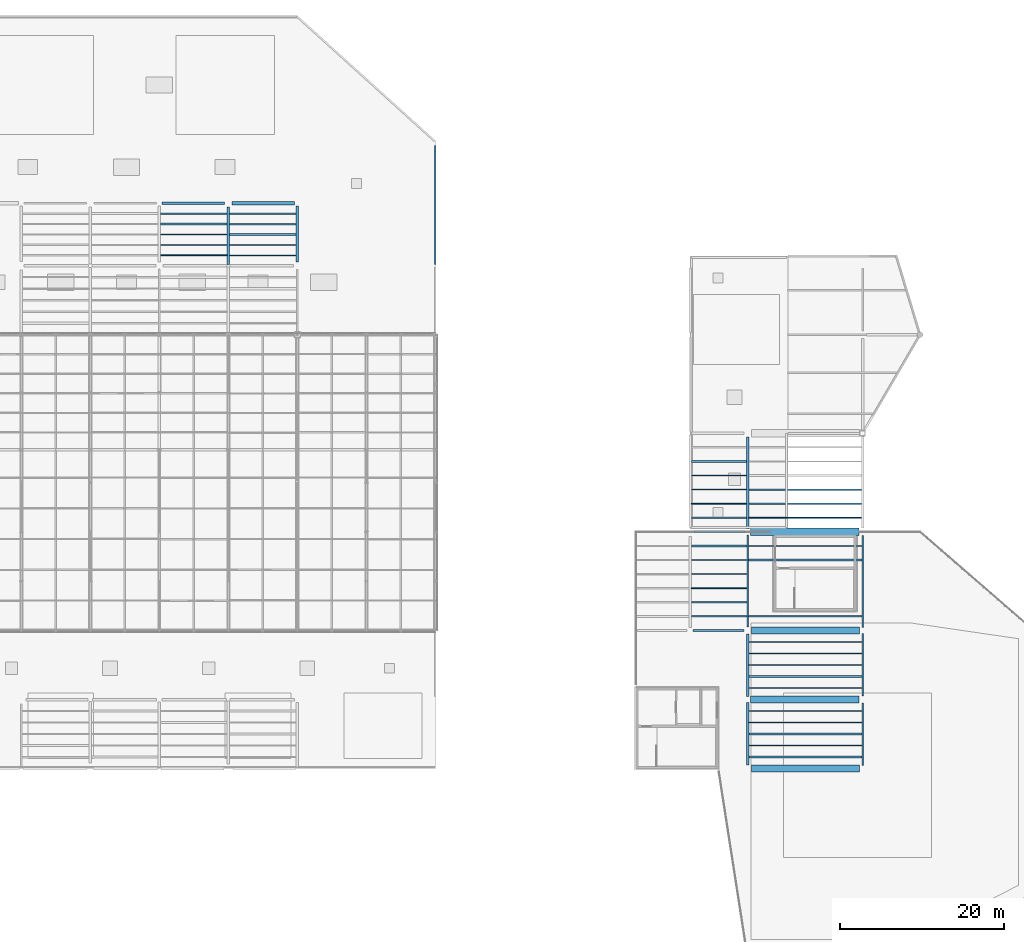
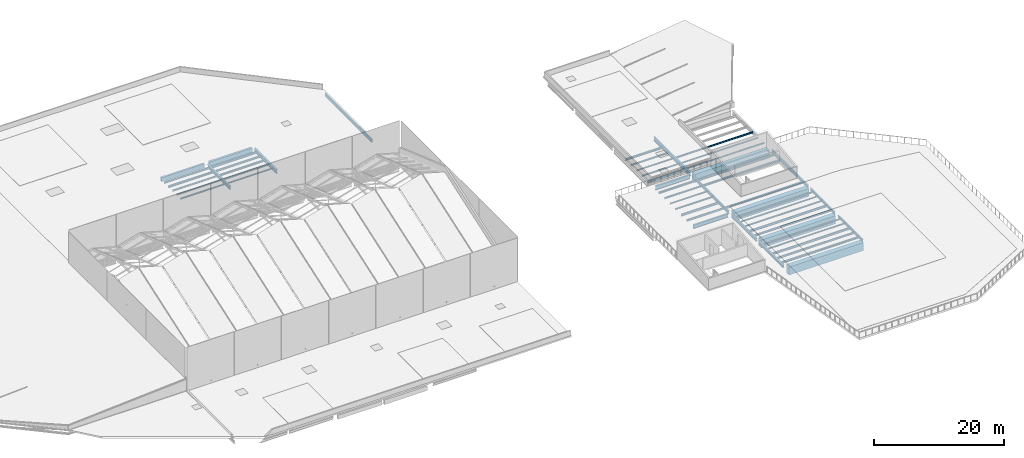
# One storey, part 38 of 77: 55 beams.
"""IFC4 building model written with IfcOpenShell, lengths in metres."""

from ifc_helpers import new_model, si_unit, direction, frame, origin, origin_2d, place, context, subcontext, project, spatial, rectangle, i_section, extrude, material, material_profile, profile_set, type_object, element, save


model = new_model("IFC4")

# Units and contexts
model_context = context("Model", 3, precision=1e-05, world=origin(), true_north=direction((0.0, 1.0)))
body_context = subcontext(model_context, "Body", "Model", "MODEL_VIEW")
ifc_project = project(units=[si_unit("LENGTHUNIT", "METRE"), si_unit("AREAUNIT", "SQUARE_METRE"), si_unit("VOLUMEUNIT", "CUBIC_METRE"), si_unit("PLANEANGLEUNIT", "RADIAN"), si_unit("MASSUNIT", "GRAM", prefix="KILO")], contexts=[model_context])

# Site, building, storey
site_placement = place(None, origin())
site = spatial("IfcSite", under=ifc_project, at=site_placement, CompositionType="ELEMENT")
building_placement = place(site_placement, origin())
building = spatial("IfcBuilding", under=site, at=building_placement, Name="Larkvane Passage Sports Hall", CompositionType="ELEMENT")
storey_placement = place(building_placement, frame((0.0, 0.0, 22.199951171875)))
storey = spatial("IfcBuildingStorey", under=building, at=storey_placement, Name="RF", CompositionType="ELEMENT", Elevation=22.199951171875)

# Beams
ifc_material_1 = material(Name="Steel S355JR", Category="steel")
ifc_material_profile_1 = material_profile(ifc_material_1, i_section(OverallWidth=0.300048828125, OverallDepth=0.488037109375, WebThickness=0.010986328125, FlangeThickness=0.01806640625, FilletRadius=0.02197265625, at=origin_2d()), Name="H-488x300x11x18")
ifc_profile_set_1 = profile_set([ifc_material_profile_1], Name="Steel S355JR")
beam_type_1 = type_object("IfcBeamType", Name="BM-STL-H488", PredefinedType="BEAM", material=ifc_profile_set_1)
beam_1_placement = place(storey_placement, frame((131.60009765625, 23.25, -0.6240234375), z_axis=(0.0, 1.0, 0.0), x_axis=(-1.0, 0.0, 0.0)))
element("IfcBeam", 1, at=beam_1_placement, inside=storey, type_object=beam_type_1, Name="Girder BM5-Y-RF-18-1187", PredefinedType="BEAM", context=body_context, shape_type="SweptSolid", body=[
    extrude(i_section(OverallWidth=0.300048828125, OverallDepth=0.488037109375, WebThickness=0.010986328125, FlangeThickness=0.01806640625, FilletRadius=0.02197265625, at=origin_2d()), origin(), (0.0, 0.0, 1.0), 7.60009765625),
])
ifc_material_2 = material(Name="Steel S460N", Category="steel")
ifc_material_profile_2 = material_profile(ifc_material_2, i_section(OverallWidth=0.300048828125, OverallDepth=0.58203125, WebThickness=0.011962890625, FlangeThickness=0.01708984375, FilletRadius=0.02197265625, at=origin_2d()), Name="H-582x300x12x17")
ifc_profile_set_2 = profile_set([ifc_material_profile_2], Name="Steel S460N")
beam_type_2 = type_object("IfcBeamType", Name="BM-STL-H582", PredefinedType="BEAM", material=ifc_profile_set_2)
beam_2_placement = place(storey_placement, frame((68.39990234375, 84.175048828125, -0.6708984375), z_axis=(0.0, 1.0, 0.0), x_axis=(-1.0, 0.0, 0.0)))
element("IfcBeam", 2, at=beam_2_placement, inside=storey, type_object=beam_type_2, Name="Girder BM5-Y-RF-10-1175", PredefinedType="BEAM", context=body_context, shape_type="SweptSolid", body=[
    extrude(i_section(OverallWidth=0.300048828125, OverallDepth=0.58203125, WebThickness=0.011962890625, FlangeThickness=0.01708984375, FilletRadius=0.02197265625, at=origin_2d()), origin(), (0.0, 0.0, 1.0), 6.974853515625),
])
beam_3_placement = place(storey_placement, frame((131.60009765625, 31.550048828125, -0.6708984375), z_axis=(0.0, 1.0, 0.0), x_axis=(-1.0, 0.0, 0.0)))
element("IfcBeam", 3, at=beam_3_placement, inside=storey, type_object=beam_type_2, Name="Girder BM5-Y-RF-18-1188", PredefinedType="BEAM", context=body_context, shape_type="SweptSolid", body=[
    extrude(i_section(OverallWidth=0.300048828125, OverallDepth=0.58203125, WebThickness=0.011962890625, FlangeThickness=0.01708984375, FilletRadius=0.02197265625, at=origin_2d()), origin(), (0.0, 0.0, 1.0), 7.599853515625),
])
ifc_material_profile_3 = material_profile(ifc_material_1, i_section(OverallWidth=0.199951171875, OverallDepth=0.60009765625, WebThickness=0.010986328125, FlangeThickness=0.01708984375, FilletRadius=0.01806640625, at=origin_2d()), Name="H-600x200x11x17")
ifc_profile_set_3 = profile_set([ifc_material_profile_3], Name="Steel S355JR")
beam_type_3 = type_object("IfcBeamType", Name="BM-STL-H600", PredefinedType="BEAM", material=ifc_profile_set_3)
beam_4_placement = place(storey_placement, frame((93.60009765625, 84.175048828125, -0.679931640625), z_axis=(0.0, 1.0, 0.0), x_axis=(-1.0, 0.0, 0.0)))
element("IfcBeam", 4, at=beam_4_placement, inside=storey, type_object=beam_type_3, Name="Girder BM5-Y-RF-13-1181", PredefinedType="BEAM", context=body_context, shape_type="SweptSolid", body=[
    extrude(i_section(OverallWidth=0.199951171875, OverallDepth=0.60009765625, WebThickness=0.010986328125, FlangeThickness=0.01708984375, FilletRadius=0.01806640625, at=origin_2d()), origin(), (0.0, 0.0, 1.0), 14.474853515625),
])
for number, where, z_axis, x_axis, name in (
    (5, (131.60009765625, 40.050048828125, -0.679931640625), (0.0, 1.0, 0.0), (-1.0, 0.0, 0.0), "Girder BM5-Y-RF-18-1189"),
    (6, (145.60009765625, 39.949951171875, -0.679931640625), (0.0, 1.0, 0.0), (-1.0, 0.0, 0.0), "Girder BM5-Y-RF-19-1193"),
):
    element("IfcBeam", number, at=place(storey_placement, frame(where, z_axis=z_axis, x_axis=x_axis)), inside=storey, type_object=beam_type_3, Name=name, PredefinedType="BEAM", context=body_context, shape_type="SweptSolid", body=[
        extrude(i_section(OverallWidth=0.199951171875, OverallDepth=0.60009765625, WebThickness=0.010986328125, FlangeThickness=0.01708984375, FilletRadius=0.01806640625, at=origin_2d()), origin(), (0.0, 0.0, 1.0), 11.199951171875),
    ])
ifc_material_profile_4 = material_profile(ifc_material_2, i_section(OverallWidth=0.300048828125, OverallDepth=0.69189453125, WebThickness=0.012939453125, FlangeThickness=0.02001953125, FilletRadius=0.02197265625, at=origin_2d()), Name="H-692x300x13x20")
ifc_profile_set_4 = profile_set([ifc_material_profile_4], Name="Steel S460N")
beam_type_4 = type_object("IfcBeamType", Name="BM-STL-H692", PredefinedType="BEAM", material=ifc_profile_set_4)
beam_5_placement = place(storey_placement, frame((124.949951171875, 39.60009765625, -0.725830078125), z_axis=(1.0, 0.0, 0.0), x_axis=(0.0, 1.0, 0.0)))
element("IfcBeam", 7, at=beam_5_placement, inside=storey, type_object=beam_type_4, Name="Girder BM5-X-RF-F-1139", PredefinedType="BEAM", context=body_context, shape_type="SweptSolid", body=[
    extrude(i_section(OverallWidth=0.300048828125, OverallDepth=0.69189453125, WebThickness=0.012939453125, FlangeThickness=0.02001953125, FilletRadius=0.02197265625, at=origin_2d()), origin(), (0.0, 0.0, 1.0), 6.199951171875),
])
beam_6_placement = place(storey_placement, frame((76.800048828125, 84.449951171875, -0.725830078125), z_axis=(0.0, 1.0, 0.0), x_axis=(-1.0, 0.0, 0.0)))
element("IfcBeam", 8, at=beam_6_placement, inside=storey, type_object=beam_type_4, Name="Girder BM5-Y-RF-11-1178", PredefinedType="BEAM", context=body_context, shape_type="SweptSolid", body=[
    extrude(i_section(OverallWidth=0.300048828125, OverallDepth=0.69189453125, WebThickness=0.012939453125, FlangeThickness=0.02001953125, FilletRadius=0.02197265625, at=origin_2d()), origin(), (0.0, 0.0, 1.0), 6.800048828125),
])
beam_7_placement = place(storey_placement, frame((131.60009765625, 51.949951171875, -0.725830078125), z_axis=(0.0, 1.0, 0.0), x_axis=(-1.0, 0.0, 0.0)))
element("IfcBeam", 9, at=beam_7_placement, inside=storey, type_object=beam_type_4, Name="Girder BM5-Y-RF-18-1190", PredefinedType="BEAM", context=body_context, shape_type="SweptSolid", body=[
    extrude(i_section(OverallWidth=0.300048828125, OverallDepth=0.69189453125, WebThickness=0.012939453125, FlangeThickness=0.02001953125, FilletRadius=0.02197265625, at=origin_2d()), origin(), (0.0, 0.0, 1.0), 11.199951171875),
])
ifc_material_profile_5 = material_profile(ifc_material_2, i_section(OverallWidth=0.300048828125, OverallDepth=0.800048828125, WebThickness=0.013916015625, FlangeThickness=0.02587890625, FilletRadius=0.02197265625, at=origin_2d()), Name="H-800x300x14x26")
ifc_profile_set_5 = profile_set([ifc_material_profile_5], Name="Steel S460N")
beam_type_5 = type_object("IfcBeamType", Name="BM-STL-H800", PredefinedType="BEAM", material=ifc_profile_set_5)
beam_8_placement = place(storey_placement, frame((125.14990234375, 51.60009765625, -0.780029296875), z_axis=(1.0, 0.0, 0.0), x_axis=(0.0, 1.0, 0.0)))
element("IfcBeam", 10, at=beam_8_placement, inside=storey, type_object=beam_type_5, Name="Girder BM5-X-RF-G-1142", PredefinedType="BEAM", context=body_context, shape_type="SweptSolid", body=[
    extrude(i_section(OverallWidth=0.300048828125, OverallDepth=0.800048828125, WebThickness=0.013916015625, FlangeThickness=0.02587890625, FilletRadius=0.02197265625, at=origin_2d()), origin(), (0.0, 0.0, 1.0), 6.10009765625),
])
ifc_material_profile_6 = material_profile(ifc_material_1, i_section(OverallWidth=0.10009765625, OverallDepth=0.199951171875, WebThickness=0.005615234375, FlangeThickness=0.008056640625, FilletRadius=0.008056640625, at=origin_2d()), Name="H-200x100x5.5x8")
ifc_profile_set_6 = profile_set([ifc_material_profile_6], Name="Steel S355JR")
beam_type_6 = type_object("IfcBeamType", Name="JST-STL-H200", PredefinedType="JOIST", material=ifc_profile_set_6)
beam_9_placement = place(storey_placement, frame((60.14990234375, 85.2666015625, -0.47998046875), z_axis=(1.0, 0.0, 0.0), x_axis=(0.0, 1.0, 0.0)))
element("IfcBeam", 11, at=beam_9_placement, inside=storey, type_object=beam_type_6, Name="Composite joist RF 9/K-1", PredefinedType="JOIST", context=body_context, shape_type="SweptSolid", body=[
    extrude(i_section(OverallWidth=0.10009765625, OverallDepth=0.199951171875, WebThickness=0.005615234375, FlangeThickness=0.008056640625, FilletRadius=0.008056640625, at=origin_2d()), origin(), (0.0, 0.0, 1.0), 8.10009765625),
])
beam_10_placement = place(storey_placement, frame((124.75, 44.742919921875, -0.47998046875), z_axis=(1.0, 0.0, 0.0), x_axis=(0.0, 1.0, 0.0)))
element("IfcBeam", 12, at=beam_10_placement, inside=storey, type_object=beam_type_6, Name="Composite joist RF 17/F-3", PredefinedType="JOIST", context=body_context, shape_type="SweptSolid", body=[
    extrude(i_section(OverallWidth=0.10009765625, OverallDepth=0.199951171875, WebThickness=0.005615234375, FlangeThickness=0.008056640625, FilletRadius=0.008056640625, at=origin_2d()), origin(), (0.0, 0.0, 1.0), 6.75),
])
beam_11_placement = place(storey_placement, frame((124.75, 55.028564453125, -0.47998046875), z_axis=(1.0, 0.0, 0.0), x_axis=(0.0, 1.0, 0.0)))
element("IfcBeam", 13, at=beam_11_placement, inside=storey, type_object=beam_type_6, Name="Composite joist RF 17/G-2", PredefinedType="JOIST", context=body_context, shape_type="SweptSolid", body=[
    extrude(i_section(OverallWidth=0.10009765625, OverallDepth=0.199951171875, WebThickness=0.005615234375, FlangeThickness=0.008056640625, FilletRadius=0.008056640625, at=origin_2d()), origin(), (0.0, 0.0, 1.0), 6.699951171875),
])
for number, where, z_axis, x_axis, name in (
    (14, (131.75, 28.39990234375, -0.47998046875), (1.0, 0.0, 0.0), (0.0, 1.0, 0.0), "Composite joist RF 18/D-4"),
    (15, (131.75, 35.39990234375, -0.47998046875), (1.0, 0.0, 0.0), (0.0, 1.0, 0.0), "Composite joist RF 18/E-3"),
):
    element("IfcBeam", number, at=place(storey_placement, frame(where, z_axis=z_axis, x_axis=x_axis)), inside=storey, type_object=beam_type_6, Name=name, PredefinedType="JOIST", context=body_context, shape_type="SweptSolid", body=[
        extrude(i_section(OverallWidth=0.10009765625, OverallDepth=0.199951171875, WebThickness=0.005615234375, FlangeThickness=0.008056640625, FilletRadius=0.008056640625, at=origin_2d()), origin(), (0.0, 0.0, 1.0), 13.75),
    ])
beam_12_placement = place(storey_placement, frame((131.75, 53.314208984375, -0.47998046875), z_axis=(1.0, 0.0, 0.0), x_axis=(0.0, 1.0, 0.0)))
element("IfcBeam", 16, at=beam_12_placement, inside=storey, type_object=beam_type_6, Name="Composite joist RF 18/G-1", PredefinedType="JOIST", context=body_context, shape_type="SweptSolid", body=[
    extrude(i_section(OverallWidth=0.10009765625, OverallDepth=0.199951171875, WebThickness=0.005615234375, FlangeThickness=0.008056640625, FilletRadius=0.008056640625, at=origin_2d()), origin(), (0.0, 0.0, 1.0), 13.699951171875),
])
ifc_material_profile_7 = material_profile(ifc_material_1, i_section(OverallWidth=0.125, OverallDepth=0.25, WebThickness=0.006103515625, FlangeThickness=0.009033203125, FilletRadius=0.008056640625, at=origin_2d()), Name="H-250x125x6x9")
ifc_profile_set_7 = profile_set([ifc_material_profile_7], Name="Steel S355JR")
beam_type_7 = type_object("IfcBeamType", Name="JST-STL-H250", PredefinedType="JOIST", material=ifc_profile_set_7)
beam_13_placement = place(storey_placement, frame((60.14990234375, 86.533447265625, -0.5048828125), z_axis=(1.0, 0.0, 0.0), x_axis=(0.0, 1.0, 0.0)))
element("IfcBeam", 17, at=beam_13_placement, inside=storey, type_object=beam_type_7, Name="Composite joist RF 9/K-2", PredefinedType="JOIST", context=body_context, shape_type="SweptSolid", body=[
    extrude(i_section(OverallWidth=0.125, OverallDepth=0.25, WebThickness=0.006103515625, FlangeThickness=0.009033203125, FilletRadius=0.008056640625, at=origin_2d()), origin(), (0.0, 0.0, 1.0), 8.10009765625),
])
beam_14_placement = place(storey_placement, frame((68.550048828125, 85.2666015625, -0.5048828125), z_axis=(1.0, 0.0, 0.0), x_axis=(0.0, 1.0, 0.0)))
element("IfcBeam", 18, at=beam_14_placement, inside=storey, type_object=beam_type_7, Name="Composite joist RF 10/K-1", PredefinedType="JOIST", context=body_context, shape_type="SweptSolid", body=[
    extrude(i_section(OverallWidth=0.125, OverallDepth=0.25, WebThickness=0.006103515625, FlangeThickness=0.009033203125, FilletRadius=0.008056640625, at=origin_2d()), origin(), (0.0, 0.0, 1.0), 8.099853515625),
])
beam_15_placement = place(storey_placement, frame((124.75, 46.45703125, -0.5048828125), z_axis=(1.0, 0.0, 0.0), x_axis=(0.0, 1.0, 0.0)))
element("IfcBeam", 19, at=beam_15_placement, inside=storey, type_object=beam_type_7, Name="Composite joist RF 17/F-4", PredefinedType="JOIST", context=body_context, shape_type="SweptSolid", body=[
    extrude(i_section(OverallWidth=0.125, OverallDepth=0.25, WebThickness=0.006103515625, FlangeThickness=0.009033203125, FilletRadius=0.008056640625, at=origin_2d()), origin(), (0.0, 0.0, 1.0), 6.75),
])
beam_16_placement = place(storey_placement, frame((124.75, 56.742919921875, -0.5048828125), z_axis=(1.0, 0.0, 0.0), x_axis=(0.0, 1.0, 0.0)))
element("IfcBeam", 20, at=beam_16_placement, inside=storey, type_object=beam_type_7, Name="Composite joist RF 17/G-3", PredefinedType="JOIST", context=body_context, shape_type="SweptSolid", body=[
    extrude(i_section(OverallWidth=0.125, OverallDepth=0.25, WebThickness=0.006103515625, FlangeThickness=0.009033203125, FilletRadius=0.008056640625, at=origin_2d()), origin(), (0.0, 0.0, 1.0), 6.699951171875),
])
for number, where, z_axis, x_axis, name in (
    (21, (131.75, 29.800048828125, -0.5048828125), (1.0, 0.0, 0.0), (0.0, 1.0, 0.0), "Composite joist RF 18/D-5"),
    (22, (131.75, 36.800048828125, -0.5048828125), (1.0, 0.0, 0.0), (0.0, 1.0, 0.0), "Composite joist RF 18/E-4"),
):
    element("IfcBeam", number, at=place(storey_placement, frame(where, z_axis=z_axis, x_axis=x_axis)), inside=storey, type_object=beam_type_7, Name=name, PredefinedType="JOIST", context=body_context, shape_type="SweptSolid", body=[
        extrude(i_section(OverallWidth=0.125, OverallDepth=0.25, WebThickness=0.006103515625, FlangeThickness=0.009033203125, FilletRadius=0.008056640625, at=origin_2d()), origin(), (0.0, 0.0, 1.0), 13.75),
    ])
beam_17_placement = place(storey_placement, frame((131.75, 55.028564453125, -0.5048828125), z_axis=(1.0, 0.0, 0.0), x_axis=(0.0, 1.0, 0.0)))
element("IfcBeam", 23, at=beam_17_placement, inside=storey, type_object=beam_type_7, Name="Composite joist RF 18/G-2", PredefinedType="JOIST", context=body_context, shape_type="SweptSolid", body=[
    extrude(i_section(OverallWidth=0.125, OverallDepth=0.25, WebThickness=0.006103515625, FlangeThickness=0.009033203125, FilletRadius=0.008056640625, at=origin_2d()), origin(), (0.0, 0.0, 1.0), 13.699951171875),
])
ifc_material_profile_8 = material_profile(ifc_material_1, i_section(OverallWidth=0.14990234375, OverallDepth=0.300048828125, WebThickness=0.006591796875, FlangeThickness=0.009033203125, FilletRadius=0.012939453125, at=origin_2d()), Name="H-300x150x6.5x9")
ifc_profile_set_8 = profile_set([ifc_material_profile_8], Name="Steel S355JR")
beam_type_8 = type_object("IfcBeamType", Name="JST-STL-H300", PredefinedType="JOIST", material=ifc_profile_set_8)
beam_18_placement = place(storey_placement, frame((60.14990234375, 87.800048828125, -0.530029296875), z_axis=(1.0, 0.0, 0.0), x_axis=(0.0, 1.0, 0.0)))
element("IfcBeam", 24, at=beam_18_placement, inside=storey, type_object=beam_type_8, Name="Composite joist RF 9/K-3", PredefinedType="JOIST", context=body_context, shape_type="SweptSolid", body=[
    extrude(i_section(OverallWidth=0.14990234375, OverallDepth=0.300048828125, WebThickness=0.006591796875, FlangeThickness=0.009033203125, FilletRadius=0.012939453125, at=origin_2d()), origin(), (0.0, 0.0, 1.0), 8.10009765625),
])
beam_19_placement = place(storey_placement, frame((68.550048828125, 86.533447265625, -0.530029296875), z_axis=(1.0, 0.0, 0.0), x_axis=(0.0, 1.0, 0.0)))
element("IfcBeam", 25, at=beam_19_placement, inside=storey, type_object=beam_type_8, Name="Composite joist RF 10/K-2", PredefinedType="JOIST", context=body_context, shape_type="SweptSolid", body=[
    extrude(i_section(OverallWidth=0.14990234375, OverallDepth=0.300048828125, WebThickness=0.006591796875, FlangeThickness=0.009033203125, FilletRadius=0.012939453125, at=origin_2d()), origin(), (0.0, 0.0, 1.0), 8.099853515625),
])
beam_20_placement = place(storey_placement, frame((124.75, 48.17138671875, -0.530029296875), z_axis=(1.0, 0.0, 0.0), x_axis=(0.0, 1.0, 0.0)))
element("IfcBeam", 26, at=beam_20_placement, inside=storey, type_object=beam_type_8, Name="Composite joist RF 17/F-5", PredefinedType="JOIST", context=body_context, shape_type="SweptSolid", body=[
    extrude(i_section(OverallWidth=0.14990234375, OverallDepth=0.300048828125, WebThickness=0.006591796875, FlangeThickness=0.009033203125, FilletRadius=0.012939453125, at=origin_2d()), origin(), (0.0, 0.0, 1.0), 6.75),
])
beam_21_placement = place(storey_placement, frame((124.75, 58.45703125, -0.530029296875), z_axis=(1.0, 0.0, 0.0), x_axis=(0.0, 1.0, 0.0)))
element("IfcBeam", 27, at=beam_21_placement, inside=storey, type_object=beam_type_8, Name="Composite joist RF 17/G-4", PredefinedType="JOIST", context=body_context, shape_type="SweptSolid", body=[
    extrude(i_section(OverallWidth=0.14990234375, OverallDepth=0.300048828125, WebThickness=0.006591796875, FlangeThickness=0.009033203125, FilletRadius=0.012939453125, at=origin_2d()), origin(), (0.0, 0.0, 1.0), 6.699951171875),
])
beam_22_placement = place(storey_placement, frame((131.75, 38.199951171875, -0.530029296875), z_axis=(1.0, 0.0, 0.0), x_axis=(0.0, 1.0, 0.0)))
element("IfcBeam", 28, at=beam_22_placement, inside=storey, type_object=beam_type_8, Name="Composite joist RF 18/E-5", PredefinedType="JOIST", context=body_context, shape_type="SweptSolid", body=[
    extrude(i_section(OverallWidth=0.14990234375, OverallDepth=0.300048828125, WebThickness=0.006591796875, FlangeThickness=0.009033203125, FilletRadius=0.012939453125, at=origin_2d()), origin(), (0.0, 0.0, 1.0), 13.75),
])
beam_23_placement = place(storey_placement, frame((131.75, 56.742919921875, -0.530029296875), z_axis=(1.0, 0.0, 0.0), x_axis=(0.0, 1.0, 0.0)))
element("IfcBeam", 29, at=beam_23_placement, inside=storey, type_object=beam_type_8, Name="Composite joist RF 18/G-3", PredefinedType="JOIST", context=body_context, shape_type="SweptSolid", body=[
    extrude(i_section(OverallWidth=0.14990234375, OverallDepth=0.300048828125, WebThickness=0.006591796875, FlangeThickness=0.009033203125, FilletRadius=0.012939453125, at=origin_2d()), origin(), (0.0, 0.0, 1.0), 13.699951171875),
])
ifc_material_profile_9 = material_profile(ifc_material_1, i_section(OverallWidth=0.25, OverallDepth=0.340087890625, WebThickness=0.009033203125, FlangeThickness=0.013916015625, FilletRadius=0.012939453125, at=origin_2d()), Name="H-340x250x9x14")
ifc_profile_set_9 = profile_set([ifc_material_profile_9], Name="Steel S355JR")
beam_type_9 = type_object("IfcBeamType", Name="JST-STL-H340", PredefinedType="JOIST", material=ifc_profile_set_9)
beam_24_placement = place(storey_placement, frame((60.14990234375, 89.066650390625, -0.550048828125), z_axis=(1.0, 0.0, 0.0), x_axis=(0.0, 1.0, 0.0)))
element("IfcBeam", 30, at=beam_24_placement, inside=storey, type_object=beam_type_9, Name="Composite joist RF 9/K-4", PredefinedType="JOIST", context=body_context, shape_type="SweptSolid", body=[
    extrude(i_section(OverallWidth=0.25, OverallDepth=0.340087890625, WebThickness=0.009033203125, FlangeThickness=0.013916015625, FilletRadius=0.012939453125, at=origin_2d()), origin(), (0.0, 0.0, 1.0), 8.10009765625),
])
beam_25_placement = place(storey_placement, frame((68.550048828125, 87.800048828125, -0.550048828125), z_axis=(1.0, 0.0, 0.0), x_axis=(0.0, 1.0, 0.0)))
element("IfcBeam", 31, at=beam_25_placement, inside=storey, type_object=beam_type_9, Name="Composite joist RF 10/K-3", PredefinedType="JOIST", context=body_context, shape_type="SweptSolid", body=[
    extrude(i_section(OverallWidth=0.25, OverallDepth=0.340087890625, WebThickness=0.009033203125, FlangeThickness=0.013916015625, FilletRadius=0.012939453125, at=origin_2d()), origin(), (0.0, 0.0, 1.0), 8.099853515625),
])
beam_26_placement = place(storey_placement, frame((124.75, 49.8857421875, -0.550048828125), z_axis=(1.0, 0.0, 0.0), x_axis=(0.0, 1.0, 0.0)))
element("IfcBeam", 32, at=beam_26_placement, inside=storey, type_object=beam_type_9, Name="Composite joist RF 17/F-6", PredefinedType="JOIST", context=body_context, shape_type="SweptSolid", body=[
    extrude(i_section(OverallWidth=0.25, OverallDepth=0.340087890625, WebThickness=0.009033203125, FlangeThickness=0.013916015625, FilletRadius=0.012939453125, at=origin_2d()), origin(), (0.0, 0.0, 1.0), 6.75),
])
beam_27_placement = place(storey_placement, frame((124.75, 60.17138671875, -0.550048828125), z_axis=(1.0, 0.0, 0.0), x_axis=(0.0, 1.0, 0.0)))
element("IfcBeam", 33, at=beam_27_placement, inside=storey, type_object=beam_type_9, Name="Composite joist RF 17/G-5", PredefinedType="JOIST", context=body_context, shape_type="SweptSolid", body=[
    extrude(i_section(OverallWidth=0.25, OverallDepth=0.340087890625, WebThickness=0.009033203125, FlangeThickness=0.013916015625, FilletRadius=0.012939453125, at=origin_2d()), origin(), (0.0, 0.0, 1.0), 6.699951171875),
])
beam_28_placement = place(storey_placement, frame((131.75, 24.199951171875, -0.550048828125), z_axis=(1.0, 0.0, 0.0), x_axis=(0.0, 1.0, 0.0)))
element("IfcBeam", 34, at=beam_28_placement, inside=storey, type_object=beam_type_9, Name="Composite joist RF 18/D-1", PredefinedType="JOIST", context=body_context, shape_type="SweptSolid", body=[
    extrude(i_section(OverallWidth=0.25, OverallDepth=0.340087890625, WebThickness=0.009033203125, FlangeThickness=0.013916015625, FilletRadius=0.012939453125, at=origin_2d()), origin(), (0.0, 0.0, 1.0), 13.75),
])
beam_29_placement = place(storey_placement, frame((131.699951171875, 48.17138671875, -0.550048828125), z_axis=(1.0, 0.0, 0.0), x_axis=(0.0, 1.0, 0.0)))
element("IfcBeam", 35, at=beam_29_placement, inside=storey, type_object=beam_type_9, Name="Composite joist RF 18/F-5", PredefinedType="JOIST", context=body_context, shape_type="SweptSolid", body=[
    extrude(i_section(OverallWidth=0.25, OverallDepth=0.340087890625, WebThickness=0.009033203125, FlangeThickness=0.013916015625, FilletRadius=0.012939453125, at=origin_2d()), origin(), (0.0, 0.0, 1.0), 13.800048828125),
])
ifc_material_profile_10 = material_profile(ifc_material_1, i_section(OverallWidth=0.175048828125, OverallDepth=0.35009765625, WebThickness=0.007080078125, FlangeThickness=0.010986328125, FilletRadius=0.012939453125, at=origin_2d()), Name="H-350x175x7x11")
ifc_profile_set_10 = profile_set([ifc_material_profile_10], Name="Steel S355JR")
beam_type_10 = type_object("IfcBeamType", Name="JST-STL-H350", PredefinedType="JOIST", material=ifc_profile_set_10)
beam_30_placement = place(storey_placement, frame((60.14990234375, 90.333251953125, -0.554931640625), z_axis=(1.0, 0.0, 0.0), x_axis=(0.0, 1.0, 0.0)))
element("IfcBeam", 36, at=beam_30_placement, inside=storey, type_object=beam_type_10, Name="Composite joist RF 9/K-5", PredefinedType="JOIST", context=body_context, shape_type="SweptSolid", body=[
    extrude(i_section(OverallWidth=0.175048828125, OverallDepth=0.35009765625, WebThickness=0.007080078125, FlangeThickness=0.010986328125, FilletRadius=0.012939453125, at=origin_2d()), origin(), (0.0, 0.0, 1.0), 8.10009765625),
])
beam_31_placement = place(storey_placement, frame((68.550048828125, 89.066650390625, -0.554931640625), z_axis=(1.0, 0.0, 0.0), x_axis=(0.0, 1.0, 0.0)))
element("IfcBeam", 37, at=beam_31_placement, inside=storey, type_object=beam_type_10, Name="Composite joist RF 10/K-4", PredefinedType="JOIST", context=body_context, shape_type="SweptSolid", body=[
    extrude(i_section(OverallWidth=0.175048828125, OverallDepth=0.35009765625, WebThickness=0.007080078125, FlangeThickness=0.010986328125, FilletRadius=0.012939453125, at=origin_2d()), origin(), (0.0, 0.0, 1.0), 8.099853515625),
])
beam_32_placement = place(storey_placement, frame((124.75, 41.314208984375, -0.554931640625), z_axis=(1.0, 0.0, 0.0), x_axis=(0.0, 1.0, 0.0)))
element("IfcBeam", 38, at=beam_32_placement, inside=storey, type_object=beam_type_10, Name="Composite joist RF 17/F-1", PredefinedType="JOIST", context=body_context, shape_type="SweptSolid", body=[
    extrude(i_section(OverallWidth=0.175048828125, OverallDepth=0.35009765625, WebThickness=0.007080078125, FlangeThickness=0.010986328125, FilletRadius=0.012939453125, at=origin_2d()), origin(), (0.0, 0.0, 1.0), 6.75),
])
for number, where, z_axis, x_axis, name in (
    (39, (131.75, 25.60009765625, -0.554931640625), (1.0, 0.0, 0.0), (0.0, 1.0, 0.0), "Composite joist RF 18/D-2"),
    (40, (131.75, 32.60009765625, -0.554931640625), (1.0, 0.0, 0.0), (0.0, 1.0, 0.0), "Composite joist RF 18/E-1"),
):
    element("IfcBeam", number, at=place(storey_placement, frame(where, z_axis=z_axis, x_axis=x_axis)), inside=storey, type_object=beam_type_10, Name=name, PredefinedType="JOIST", context=body_context, shape_type="SweptSolid", body=[
        extrude(i_section(OverallWidth=0.175048828125, OverallDepth=0.35009765625, WebThickness=0.007080078125, FlangeThickness=0.010986328125, FilletRadius=0.012939453125, at=origin_2d()), origin(), (0.0, 0.0, 1.0), 13.75),
    ])
beam_33_placement = place(storey_placement, frame((131.699951171875, 49.8857421875, -0.554931640625), z_axis=(1.0, 0.0, 0.0), x_axis=(0.0, 1.0, 0.0)))
element("IfcBeam", 41, at=beam_33_placement, inside=storey, type_object=beam_type_10, Name="Composite joist RF 18/F-6", PredefinedType="JOIST", context=body_context, shape_type="SweptSolid", body=[
    extrude(i_section(OverallWidth=0.175048828125, OverallDepth=0.35009765625, WebThickness=0.007080078125, FlangeThickness=0.010986328125, FilletRadius=0.012939453125, at=origin_2d()), origin(), (0.0, 0.0, 1.0), 13.800048828125),
])
ifc_material_profile_11 = material_profile(ifc_material_1, i_section(OverallWidth=0.199951171875, OverallDepth=0.39990234375, WebThickness=0.008056640625, FlangeThickness=0.012939453125, FilletRadius=0.012939453125, at=origin_2d()), Name="H-400x200x8x13")
ifc_profile_set_11 = profile_set([ifc_material_profile_11], Name="Steel S355JR")
beam_type_11 = type_object("IfcBeamType", Name="JST-STL-H400", PredefinedType="JOIST", material=ifc_profile_set_11)
beam_34_placement = place(storey_placement, frame((68.550048828125, 90.333251953125, -0.579833984375), z_axis=(1.0, 0.0, 0.0), x_axis=(0.0, 1.0, 0.0)))
element("IfcBeam", 42, at=beam_34_placement, inside=storey, type_object=beam_type_11, Name="Composite joist RF 10/K-5", PredefinedType="JOIST", context=body_context, shape_type="SweptSolid", body=[
    extrude(i_section(OverallWidth=0.199951171875, OverallDepth=0.39990234375, WebThickness=0.008056640625, FlangeThickness=0.012939453125, FilletRadius=0.012939453125, at=origin_2d()), origin(), (0.0, 0.0, 1.0), 8.099853515625),
])
beam_35_placement = place(storey_placement, frame((124.75, 43.028564453125, -0.579833984375), z_axis=(1.0, 0.0, 0.0), x_axis=(0.0, 1.0, 0.0)))
element("IfcBeam", 43, at=beam_35_placement, inside=storey, type_object=beam_type_11, Name="Composite joist RF 17/F-2", PredefinedType="JOIST", context=body_context, shape_type="SweptSolid", body=[
    extrude(i_section(OverallWidth=0.199951171875, OverallDepth=0.39990234375, WebThickness=0.008056640625, FlangeThickness=0.012939453125, FilletRadius=0.012939453125, at=origin_2d()), origin(), (0.0, 0.0, 1.0), 6.75),
])
beam_36_placement = place(storey_placement, frame((124.75, 53.314208984375, -0.579833984375), z_axis=(1.0, 0.0, 0.0), x_axis=(0.0, 1.0, 0.0)))
element("IfcBeam", 44, at=beam_36_placement, inside=storey, type_object=beam_type_11, Name="Composite joist RF 17/G-1", PredefinedType="JOIST", context=body_context, shape_type="SweptSolid", body=[
    extrude(i_section(OverallWidth=0.199951171875, OverallDepth=0.39990234375, WebThickness=0.008056640625, FlangeThickness=0.012939453125, FilletRadius=0.012939453125, at=origin_2d()), origin(), (0.0, 0.0, 1.0), 6.699951171875),
])
for number, where, z_axis, x_axis, name in (
    (45, (131.75, 27.0, -0.579833984375), (1.0, 0.0, 0.0), (0.0, 1.0, 0.0), "Composite joist RF 18/D-3"),
    (46, (131.75, 34.0, -0.579833984375), (1.0, 0.0, 0.0), (0.0, 1.0, 0.0), "Composite joist RF 18/E-2"),
):
    element("IfcBeam", number, at=place(storey_placement, frame(where, z_axis=z_axis, x_axis=x_axis)), inside=storey, type_object=beam_type_11, Name=name, PredefinedType="JOIST", context=body_context, shape_type="SweptSolid", body=[
        extrude(i_section(OverallWidth=0.199951171875, OverallDepth=0.39990234375, WebThickness=0.008056640625, FlangeThickness=0.012939453125, FilletRadius=0.012939453125, at=origin_2d()), origin(), (0.0, 0.0, 1.0), 13.75),
    ])
beam_37_placement = place(storey_placement, frame((131.699951171875, 41.314208984375, -0.579833984375), z_axis=(1.0, 0.0, 0.0), x_axis=(0.0, 1.0, 0.0)))
element("IfcBeam", 47, at=beam_37_placement, inside=storey, type_object=beam_type_11, Name="Composite joist RF 18/F-1", PredefinedType="JOIST", context=body_context, shape_type="SweptSolid", body=[
    extrude(i_section(OverallWidth=0.199951171875, OverallDepth=0.39990234375, WebThickness=0.008056640625, FlangeThickness=0.012939453125, FilletRadius=0.012939453125, at=origin_2d()), origin(), (0.0, 0.0, 1.0), 13.800048828125),
])
ifc_material_3 = material(Name="Concrete C50/60", Category="concrete")
ifc_material_profile_12 = material_profile(ifc_material_3, rectangle(XDim=0.89990234375, YDim=1.5, at=origin_2d()), Name="PT-GIR-900x1500")
ifc_profile_set_12 = profile_set([ifc_material_profile_12], Name="Concrete C50/60")
beam_type_12 = type_object("IfcBeamType", Name="PTG-900x1500", PredefinedType="BEAM", material=ifc_profile_set_12)
for number, where, z_axis, x_axis, name in (
    (48, (132.050048828125, 22.800048828125, -1.1298828125), (1.0, 0.0, 0.0), (0.0, 1.0, 0.0), "Post-tensioned transfer girder BM5-X-RF-D-1132"),
    (49, (131.949951171875, 31.199951171875, -1.1298828125), (1.0, 0.0, 0.0), (0.0, 1.0, 0.0), "Post-tensioned transfer girder BM5-X-RF-E-1137"),
    (50, (132.050048828125, 39.60009765625, -1.1298828125), (1.0, 0.0, 0.0), (0.0, 1.0, 0.0), "Post-tensioned transfer girder BM5-X-RF-F-1140"),
    (51, (131.949951171875, 51.60009765625, -1.1298828125), (1.0, 0.0, 0.0), (0.0, 1.0, 0.0), "Post-tensioned transfer girder BM5-X-RF-G-1143"),
):
    element("IfcBeam", number, at=place(storey_placement, frame(where, z_axis=z_axis, x_axis=x_axis)), inside=storey, type_object=beam_type_12, Name=name, PredefinedType="BEAM", context=body_context, shape_type="SweptSolid", body=[
        extrude(rectangle(XDim=0.89990234375, YDim=1.5, at=origin_2d()), origin(), (0.0, 0.0, 1.0), 13.199951171875),
    ])
ifc_material_4 = material(Name="Concrete C40/50", Category="concrete")
ifc_material_profile_13 = material_profile(ifc_material_4, rectangle(XDim=0.35009765625, YDim=0.75, at=origin_2d()), Name="RC-SP-350x750")
ifc_profile_set_13 = profile_set([ifc_material_profile_13], Name="Concrete C40/50")
beam_type_13 = type_object("IfcBeamType", Name="SP-RC-350x750", PredefinedType="SPANDREL", material=ifc_profile_set_13)
beam_38_placement = place(storey_placement, frame((60.35009765625, 91.60009765625, -0.7548828125), z_axis=(1.0, 0.0, 0.0), x_axis=(0.0, 1.0, 0.0)))
element("IfcBeam", 52, at=beam_38_placement, inside=storey, type_object=beam_type_13, Name="Girder BM5-X-RF-L-1161", PredefinedType="SPANDREL", context=body_context, shape_type="SweptSolid", body=[
    extrude(rectangle(XDim=0.35009765625, YDim=0.75, at=origin_2d()), origin(), (0.0, 0.0, 1.0), 7.599853515625),
])
ifc_material_profile_14 = material_profile(ifc_material_4, rectangle(XDim=0.39990234375, YDim=0.85009765625, at=origin_2d()), Name="RC-SP-400x850")
ifc_profile_set_14 = profile_set([ifc_material_profile_14], Name="Concrete C40/50")
beam_type_14 = type_object("IfcBeamType", Name="SP-RC-400x850", PredefinedType="SPANDREL", material=ifc_profile_set_14)
beam_39_placement = place(storey_placement, frame((68.85009765625, 91.60009765625, -0.804931640625), z_axis=(1.0, 0.0, 0.0), x_axis=(0.0, 1.0, 0.0)))
element("IfcBeam", 53, at=beam_39_placement, inside=storey, type_object=beam_type_14, Name="Girder BM5-X-RF-L-1162", PredefinedType="SPANDREL", context=body_context, shape_type="SweptSolid", body=[
    extrude(rectangle(XDim=0.39990234375, YDim=0.85009765625, at=origin_2d()), origin(), (0.0, 0.0, 1.0), 7.599853515625),
])
ifc_material_profile_15 = material_profile(ifc_material_1, i_section(OverallWidth=0.199951171875, OverallDepth=0.449951171875, WebThickness=0.009033203125, FlangeThickness=0.013916015625, FilletRadius=0.01806640625, at=origin_2d()), Name="H-450x200x9x14")
ifc_profile_set_15 = profile_set([ifc_material_profile_15], Name="Steel S355JR")
beam_type_15 = type_object("IfcBeamType", Name="SP-STL-H450", PredefinedType="SPANDREL", material=ifc_profile_set_15)
beam_40_placement = place(storey_placement, frame((145.60009765625, 23.14990234375, -0.60498046875), z_axis=(0.0, 1.0, 0.0), x_axis=(-1.0, 0.0, 0.0)))
element("IfcBeam", 54, at=beam_40_placement, inside=storey, type_object=beam_type_15, Name="Girder BM5-Y-RF-19-1191", PredefinedType="SPANDREL", context=body_context, shape_type="SweptSolid", body=[
    extrude(i_section(OverallWidth=0.199951171875, OverallDepth=0.449951171875, WebThickness=0.009033203125, FlangeThickness=0.013916015625, FilletRadius=0.01806640625, at=origin_2d()), origin(), (0.0, 0.0, 1.0), 7.60009765625),
])
ifc_material_profile_16 = material_profile(ifc_material_1, i_section(OverallWidth=0.199951171875, OverallDepth=0.5, WebThickness=0.010009765625, FlangeThickness=0.01611328125, FilletRadius=0.01806640625, at=origin_2d()), Name="H-500x200x10x16")
ifc_profile_set_16 = profile_set([ifc_material_profile_16], Name="Steel S355JR")
beam_type_16 = type_object("IfcBeamType", Name="SP-STL-H500", PredefinedType="SPANDREL", material=ifc_profile_set_16)
beam_41_placement = place(storey_placement, frame((145.60009765625, 31.64990234375, -0.6298828125), z_axis=(0.0, 1.0, 0.0), x_axis=(-1.0, 0.0, 0.0)))
element("IfcBeam", 55, at=beam_41_placement, inside=storey, type_object=beam_type_16, Name="Girder BM5-Y-RF-19-1192", PredefinedType="SPANDREL", context=body_context, shape_type="SweptSolid", body=[
    extrude(i_section(OverallWidth=0.199951171875, OverallDepth=0.5, WebThickness=0.010009765625, FlangeThickness=0.01611328125, FilletRadius=0.01806640625, at=origin_2d()), origin(), (0.0, 0.0, 1.0), 7.60009765625),
])

save(model, "model.ifc")
